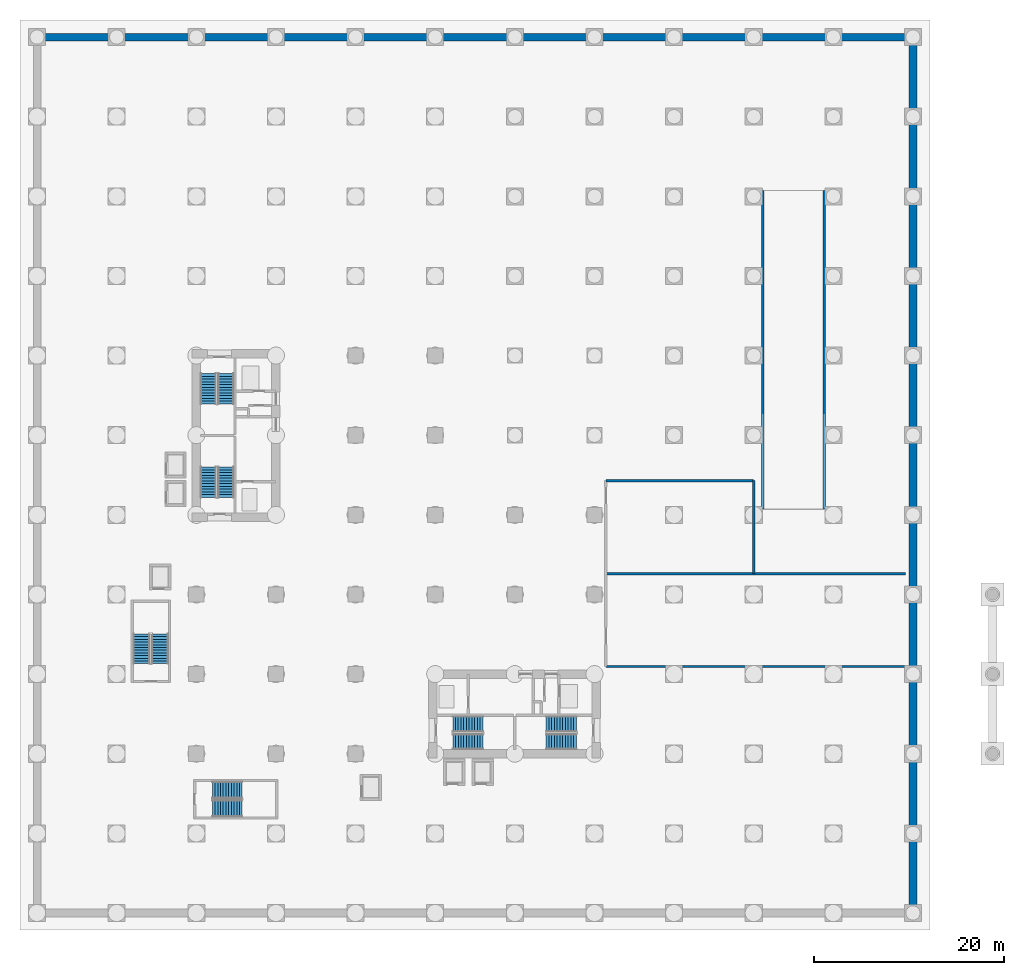
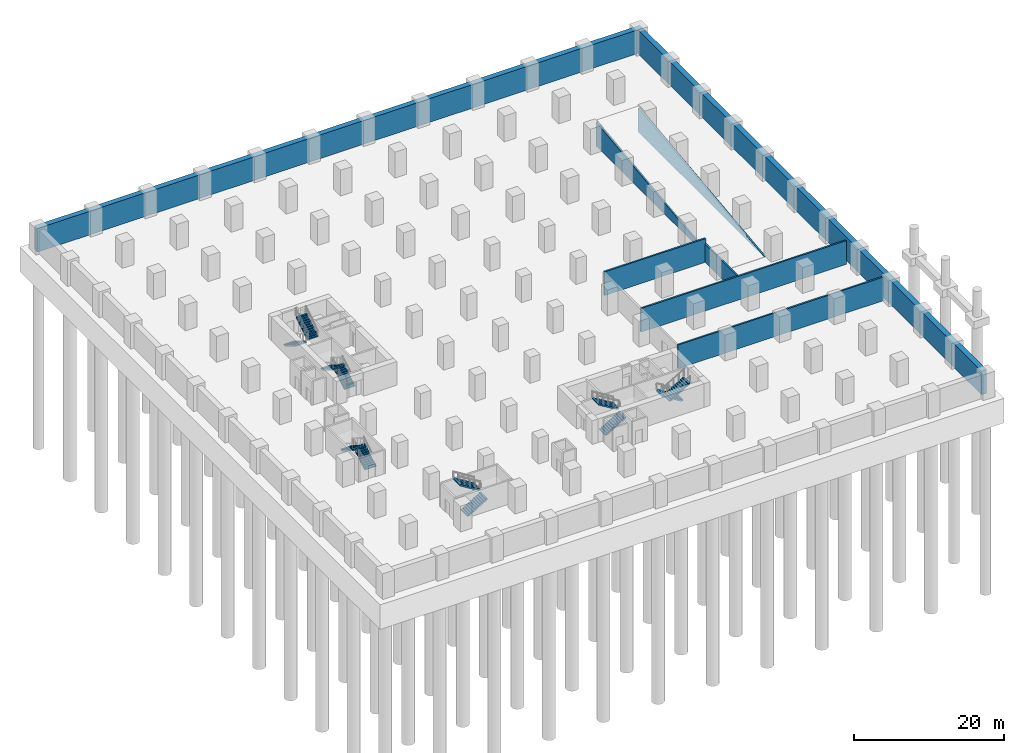
# One storey, part 8 of 12: 12 stair flights, 8 walls, 6 elements without a shape of their own.
"""IFC4 building model written with IfcOpenShell, lengths in metres."""

from ifc_helpers import new_model, si_unit, direction, frame, frame_2d, origin, place, context, subcontext, project, spatial, polyline, rectangle, outline, extrude, material, layer, layer_set, type_object, element, aggregate, save


model = new_model("IFC4")

# Units and contexts
model_context = context("Model", 3, precision=1e-05, world=origin(), true_north=direction((0.0, 1.0)))
body_context = subcontext(model_context, "Body", "Model", "MODEL_VIEW")
ifc_project = project(units=[si_unit("LENGTHUNIT", "METRE"), si_unit("AREAUNIT", "SQUARE_METRE"), si_unit("VOLUMEUNIT", "CUBIC_METRE"), si_unit("PLANEANGLEUNIT", "RADIAN"), si_unit("MASSUNIT", "GRAM", prefix="KILO")], contexts=[model_context])

# Site, building, storey
site_placement = place(None, origin())
site = spatial("IfcSite", under=ifc_project, at=site_placement, CompositionType="ELEMENT")
building_placement = place(site_placement, origin())
building = spatial("IfcBuilding", under=site, at=building_placement, Name="Koriwani Terraces Tower", CompositionType="ELEMENT")
storey_placement = place(building_placement, frame((0.0, 0.0, -8.39990234375)))
storey = spatial("IfcBuildingStorey", under=building, at=storey_placement, Name="B02", CompositionType="ELEMENT", Elevation=-8.39990234375)

# Walls
ifc_material_1 = material(Name="Concrete C50/60", Category="concrete")
ifc_layer_1 = layer(ifc_material_1, 0.800048828125, Name="Concrete C50/60")
ifc_layer_set_1 = layer_set([ifc_layer_1], Name="Concrete C50/60")
wall_type_1 = type_object("IfcWallType", Name="WALL_BASEMENT_RET_800", PredefinedType="USERDEFINED", material=ifc_layer_set_1)
wall_1_placement = place(storey_placement, frame((92.39990234375, 0.39990234375, 0.0), z_axis=(0.0, 0.0, 1.0), x_axis=(0.0, 1.0, 0.0)))
element("IfcWall", 1, at=wall_1_placement, inside=storey, type_object=wall_type_1, Name="B02 Perimeter Retaining Wall (E)", ObjectType="RETAININGWALL", PredefinedType="USERDEFINED", context=body_context, shape_type="SweptSolid", body=[
    extrude(rectangle(XDim=91.60009765625, YDim=0.800048828125, at=frame_2d((45.800048828125, 0.0))), origin(), (0.0, 0.0, 1.0), 3.849853515625),
])
wall_2_placement = place(storey_placement, frame((92.800048828125, 92.39990234375, 0.0), z_axis=(0.0, 0.0, 1.0), x_axis=(-1.0, 0.0, 0.0)))
element("IfcWall", 2, at=wall_2_placement, inside=storey, type_object=wall_type_1, Name="B02 Perimeter Retaining Wall (N)", ObjectType="RETAININGWALL", PredefinedType="USERDEFINED", context=body_context, shape_type="SweptSolid", body=[
    extrude(rectangle(XDim=93.199951171875, YDim=0.800048828125, at=frame_2d((46.60009765625, 0.0))), origin(), (0.0, 0.0, 1.0), 3.849853515625),
])
ifc_material_2 = material(Name="Concrete C40/50", Category="concrete")
ifc_layer_2 = layer(ifc_material_2, 0.25, Name="Concrete C40/50")
ifc_layer_set_2 = layer_set([ifc_layer_2], Name="Concrete C40/50")
wall_type_2 = type_object("IfcWallType", Name="WALL_SHAFT_RATED_250", PredefinedType="SOLIDWALL", material=ifc_layer_set_2)
for number, where, z_axis, x_axis, name in (
    (3, (76.550048828125, 42.60009765625, 0.0), (0.0, 0.0, 1.0), (0.0, 1.0, 0.0), "B02 Vehicle Ramp Bearing Support Wall (W)"),
    (4, (83.050048828125, 42.60009765625, 0.0), (0.0, 0.0, 1.0), (0.0, 1.0, 0.0), "B02 Vehicle Ramp Bearing Support Wall (E)"),
):
    element("IfcWall", number, at=place(storey_placement, frame(where, z_axis=z_axis, x_axis=x_axis)), inside=storey, type_object=wall_type_2, Name=name, PredefinedType="SOLIDWALL", context=body_context, shape_type="SweptSolid", body=[
        extrude(outline(polyline([(0.0, 0.0), (33.599853515625, 0.0), (33.60009765625, 3.89990234375), (0.0, 0.0498046875), (0.0, 0.0)])), frame((0.0, 0.125, 0.0), z_axis=(0.0, -1.0, 0.0), x_axis=(1.0, 0.0, 0.0)), (0.0, 0.0, 1.0), 0.25),
    ])
for number, where, z_axis, x_axis, name in (
    (5, (60.0, 35.800048828125, 0.0), (0.0, 0.0, 1.0), (1.0, 0.0, 0.0), "B02 Interior Wall WBAS-B02-PL2"),
    (6, (60.0, 26.0, 0.0), (0.0, 0.0, 1.0), (1.0, 0.0, 0.0), "B02 Interior Wall WBAS-B02-PL3"),
):
    element("IfcWall", number, at=place(storey_placement, frame(where, z_axis=z_axis, x_axis=x_axis)), inside=storey, type_object=wall_type_2, Name=name, PredefinedType="SOLIDWALL", context=body_context, shape_type="SweptSolid", body=[
        extrude(rectangle(XDim=31.60009765625, YDim=0.25, at=frame_2d((15.800048828125, 0.0))), origin(), (0.0, 0.0, 1.0), 3.849853515625),
    ])
wall_3_placement = place(storey_placement, frame((60.0, 45.60009765625, 0.0), z_axis=(0.0, 0.0, 1.0), x_axis=(1.0, 0.0, 0.0)))
element("IfcWall", 7, at=wall_3_placement, inside=storey, type_object=wall_type_2, Name="B02 Interior Wall WBAS-B02-PL4", PredefinedType="SOLIDWALL", context=body_context, shape_type="SweptSolid", body=[
    extrude(rectangle(XDim=15.60009765625, YDim=0.25, at=frame_2d((7.800048828125, 0.0))), origin(), (0.0, 0.0, 1.0), 3.849853515625),
])
wall_4_placement = place(storey_placement, frame((75.60009765625, 35.800048828125, 0.0), z_axis=(0.0, 0.0, 1.0), x_axis=(0.0, 1.0, 0.0)))
element("IfcWall", 8, at=wall_4_placement, inside=storey, type_object=wall_type_2, Name="B02 Interior Wall WBAS-B02-PL5", PredefinedType="SOLIDWALL", context=body_context, shape_type="SweptSolid", body=[
    extrude(rectangle(XDim=9.800048828125, YDim=0.25, at=frame_2d((4.89990234375, 0.0))), origin(), (0.0, 0.0, 1.0), 3.0),
])

# Stair, stair flights
stair_type_1 = type_object("IfcStairType", Name="STAIR_PODIUM_DOGLEG_1750", PredefinedType="TWO_STRAIGHT_RUN_STAIR", material=ifc_material_2)
stair_1_placement = place(storey_placement, origin())
stair_1 = element("IfcStair", 9, at=stair_1_placement, inside=storey, type_object=stair_type_1, Name="B02 Podium West Exit Stair", PredefinedType="HALF_TURN_STAIR")
stair_flight_type_1 = type_object("IfcStairFlightType", Name="STAIR_FLIGHT_POD_1750", PredefinedType="STRAIGHT", material=ifc_material_2)
stair_flight_1_placement = place(storey_placement, frame((12.97509765625, 26.300048828125, 0.0), z_axis=(0.0, 0.0, 1.0), x_axis=(0.0, 1.0, 0.0)))
stair_flight_1 = element("IfcStairFlight", 10, at=stair_flight_1_placement, type_object=stair_flight_type_1, Name="ST-P1 flight 1", NumberOfRisers=12, NumberOfTreads=11, PredefinedType="STRAIGHT", RiserHeight=0.175, TreadLength=0.285, context=body_context, shape_type="SweptSolid", body=[
    extrude(outline(polyline([(0.0, 0.0), (0.0, 0.175048828125), (0.284912109375, 0.175048828125), (0.284912109375, 0.35009765625), (0.570068359375, 0.35009765625), (0.570068359375, 0.52490234375), (0.85498046875, 0.52490234375), (0.85498046875, 0.699951171875), (1.139892578125, 0.699951171875), (1.139892578125, 0.875), (1.425048828125, 0.875), (1.425048828125, 1.050048828125), (1.7099609375, 1.050048828125), (1.7099609375, 1.22509765625), (1.9951171875, 1.22509765625), (1.9951171875, 1.39990234375), (2.280029296875, 1.39990234375), (2.280029296875, 1.574951171875), (2.56494140625, 1.574951171875), (2.56494140625, 1.75), (2.85009765625, 1.75), (2.85009765625, 1.925048828125), (3.135009765625, 1.925048828125), (3.135009765625, 2.10009765625), (3.135009765625, 1.6904296875), (0.382080078125, 0.0), (0.0, 0.0)])), frame((0.0, 0.875, 0.0), z_axis=(0.0, -1.0, 0.0), x_axis=(1.0, 0.0, 0.0)), (0.0, 0.0, 1.0), 1.75),
])
stair_flight_2_placement = place(storey_placement, frame((11.02490234375, 29.43505859375, 2.099853515625), z_axis=(0.0, 0.0, 1.0), x_axis=(0.0, -1.0, 0.0)))
stair_flight_2 = element("IfcStairFlight", 11, at=stair_flight_2_placement, type_object=stair_flight_type_1, Name="ST-P1 flight 2", NumberOfRisers=12, NumberOfTreads=11, PredefinedType="STRAIGHT", RiserHeight=0.175, TreadLength=0.285, context=body_context, shape_type="SweptSolid", body=[
    extrude(outline(polyline([(0.0, 0.0), (0.0, 0.175048828125), (0.284912109375, 0.175048828125), (0.284912109375, 0.35009765625), (0.570068359375, 0.35009765625), (0.570068359375, 0.52490234375), (0.85498046875, 0.52490234375), (0.85498046875, 0.699951171875), (1.139892578125, 0.699951171875), (1.139892578125, 0.875), (1.425048828125, 0.875), (1.425048828125, 1.050048828125), (1.7099609375, 1.050048828125), (1.7099609375, 1.22509765625), (1.9951171875, 1.22509765625), (1.9951171875, 1.39990234375), (2.280029296875, 1.39990234375), (2.280029296875, 1.574951171875), (2.56494140625, 1.574951171875), (2.56494140625, 1.75), (2.85009765625, 1.75), (2.85009765625, 1.925048828125), (3.135009765625, 1.925048828125), (3.135009765625, 2.10009765625), (3.135009765625, 1.6904296875), (0.382080078125, 0.0), (0.0, 0.0)])), frame((0.0, 0.875, 0.0), z_axis=(0.0, -1.0, 0.0), x_axis=(1.0, 0.0, 0.0)), (0.0, 0.0, 1.0), 1.75),
])
aggregate(stair_1, [stair_flight_1, stair_flight_2])

stair_2_placement = place(storey_placement, origin())
stair_2 = element("IfcStair", 12, at=stair_2_placement, inside=storey, type_object=stair_type_1, Name="B02 Podium South Exit Stair", PredefinedType="HALF_TURN_STAIR")
stair_flight_3_placement = place(storey_placement, frame((18.5, 11.02490234375, 0.0), z_axis=(0.0, 0.0, 1.0), x_axis=(1.0, 0.0, 0.0)))
stair_flight_3 = element("IfcStairFlight", 13, at=stair_flight_3_placement, type_object=stair_flight_type_1, Name="ST-P2 flight 1", NumberOfRisers=12, NumberOfTreads=11, PredefinedType="STRAIGHT", RiserHeight=0.175, TreadLength=0.285, context=body_context, shape_type="SweptSolid", body=[
    extrude(outline(polyline([(0.0, 0.0), (0.0, 0.175048828125), (0.284912109375, 0.175048828125), (0.284912109375, 0.35009765625), (0.570068359375, 0.35009765625), (0.570068359375, 0.52490234375), (0.85498046875, 0.52490234375), (0.85498046875, 0.699951171875), (1.139892578125, 0.699951171875), (1.139892578125, 0.875), (1.425048828125, 0.875), (1.425048828125, 1.050048828125), (1.7099609375, 1.050048828125), (1.7099609375, 1.22509765625), (1.9951171875, 1.22509765625), (1.9951171875, 1.39990234375), (2.280029296875, 1.39990234375), (2.280029296875, 1.574951171875), (2.56494140625, 1.574951171875), (2.56494140625, 1.75), (2.85009765625, 1.75), (2.85009765625, 1.925048828125), (3.135009765625, 1.925048828125), (3.135009765625, 2.10009765625), (3.135009765625, 1.6904296875), (0.382080078125, 0.0), (0.0, 0.0)])), frame((0.0, 0.875, 0.0), z_axis=(0.0, -1.0, 0.0), x_axis=(1.0, 0.0, 0.0)), (0.0, 0.0, 1.0), 1.75),
])
stair_flight_4_placement = place(storey_placement, frame((21.635009765625, 12.97509765625, 2.099853515625), z_axis=(0.0, 0.0, 1.0), x_axis=(-1.0, 0.0, 0.0)))
stair_flight_4 = element("IfcStairFlight", 14, at=stair_flight_4_placement, type_object=stair_flight_type_1, Name="ST-P2 flight 2", NumberOfRisers=12, NumberOfTreads=11, PredefinedType="STRAIGHT", RiserHeight=0.175, TreadLength=0.285, context=body_context, shape_type="SweptSolid", body=[
    extrude(outline(polyline([(0.0, 0.0), (0.0, 0.175048828125), (0.284912109375, 0.175048828125), (0.284912109375, 0.35009765625), (0.570068359375, 0.35009765625), (0.570068359375, 0.52490234375), (0.85498046875, 0.52490234375), (0.85498046875, 0.699951171875), (1.139892578125, 0.699951171875), (1.139892578125, 0.875), (1.425048828125, 0.875), (1.425048828125, 1.050048828125), (1.7099609375, 1.050048828125), (1.7099609375, 1.22509765625), (1.9951171875, 1.22509765625), (1.9951171875, 1.39990234375), (2.280029296875, 1.39990234375), (2.280029296875, 1.574951171875), (2.56494140625, 1.574951171875), (2.56494140625, 1.75), (2.85009765625, 1.75), (2.85009765625, 1.925048828125), (3.135009765625, 1.925048828125), (3.135009765625, 2.10009765625), (3.135009765625, 1.6904296875), (0.382080078125, 0.0), (0.0, 0.0)])), frame((0.0, 0.875, 0.0), z_axis=(0.0, -1.0, 0.0), x_axis=(1.0, 0.0, 0.0)), (0.0, 0.0, 1.0), 1.75),
])
aggregate(stair_2, [stair_flight_3, stair_flight_4])

stair_type_2 = type_object("IfcStairType", Name="STAIR_CORE_DOGLEG_1650", PredefinedType="TWO_STRAIGHT_RUN_STAIR", material=ifc_material_2)
stair_3_placement = place(storey_placement, origin())
stair_3 = element("IfcStair", 15, at=stair_3_placement, inside=storey, type_object=stair_type_2, Name="B02 West Core Exit Stair 1", PredefinedType="HALF_TURN_STAIR")
stair_flight_type_2 = type_object("IfcStairFlightType", Name="STAIR_FLIGHT_RC_1650", PredefinedType="STRAIGHT", material=ifc_material_2)
stair_flight_5_placement = place(storey_placement, frame((19.925048828125, 43.85009765625, 0.0), z_axis=(0.0, 0.0, 1.0), x_axis=(0.0, 1.0, 0.0)))
stair_flight_5 = element("IfcStairFlight", 16, at=stair_flight_5_placement, type_object=stair_flight_type_2, Name="ST-W1 flight 1", NumberOfRisers=12, NumberOfTreads=11, PredefinedType="STRAIGHT", RiserHeight=0.175, TreadLength=0.29, context=body_context, shape_type="SweptSolid", body=[
    extrude(outline(polyline([(0.0, 0.0), (0.0, 0.175048828125), (0.2900390625, 0.175048828125), (0.2900390625, 0.35009765625), (0.580078125, 0.35009765625), (0.580078125, 0.52490234375), (0.8701171875, 0.52490234375), (0.8701171875, 0.699951171875), (1.159912109375, 0.699951171875), (1.159912109375, 0.875), (1.449951171875, 0.875), (1.449951171875, 1.050048828125), (1.739990234375, 1.050048828125), (1.739990234375, 1.22509765625), (2.030029296875, 1.22509765625), (2.030029296875, 1.39990234375), (2.320068359375, 1.39990234375), (2.320068359375, 1.574951171875), (2.610107421875, 1.574951171875), (2.610107421875, 1.75), (2.89990234375, 1.75), (2.89990234375, 1.925048828125), (3.18994140625, 1.925048828125), (3.18994140625, 2.10009765625), (3.18994140625, 1.71484375), (0.34814453125, 0.0), (0.0, 0.0)])), frame((0.0, 0.824951171875, 0.0), z_axis=(0.0, -1.0, 0.0), x_axis=(1.0, 0.0, 0.0)), (0.0, 0.0, 1.0), 1.64990234375),
])
stair_flight_6_placement = place(storey_placement, frame((18.074951171875, 47.0400390625, 2.099853515625), z_axis=(0.0, 0.0, 1.0), x_axis=(0.0, -1.0, 0.0)))
stair_flight_6 = element("IfcStairFlight", 17, at=stair_flight_6_placement, type_object=stair_flight_type_2, Name="ST-W1 flight 2", NumberOfRisers=12, NumberOfTreads=11, PredefinedType="STRAIGHT", RiserHeight=0.175, TreadLength=0.29, context=body_context, shape_type="SweptSolid", body=[
    extrude(outline(polyline([(0.0, 0.0), (0.0, 0.175048828125), (0.2900390625, 0.175048828125), (0.2900390625, 0.35009765625), (0.580078125, 0.35009765625), (0.580078125, 0.52490234375), (0.8701171875, 0.52490234375), (0.8701171875, 0.699951171875), (1.159912109375, 0.699951171875), (1.159912109375, 0.875), (1.449951171875, 0.875), (1.449951171875, 1.050048828125), (1.739990234375, 1.050048828125), (1.739990234375, 1.22509765625), (2.030029296875, 1.22509765625), (2.030029296875, 1.39990234375), (2.320068359375, 1.39990234375), (2.320068359375, 1.574951171875), (2.610107421875, 1.574951171875), (2.610107421875, 1.75), (2.89990234375, 1.75), (2.89990234375, 1.925048828125), (3.18994140625, 1.925048828125), (3.18994140625, 2.10009765625), (3.18994140625, 1.71484375), (0.34814453125, 0.0), (0.0, 0.0)])), frame((0.0, 0.824951171875, 0.0), z_axis=(0.0, -1.0, 0.0), x_axis=(1.0, 0.0, 0.0)), (0.0, 0.0, 1.0), 1.64990234375),
])
aggregate(stair_3, [stair_flight_5, stair_flight_6])

stair_4_placement = place(storey_placement, origin())
stair_4 = element("IfcStair", 18, at=stair_4_placement, inside=storey, type_object=stair_type_2, Name="B02 West Core Exit Stair 2", PredefinedType="HALF_TURN_STAIR")
stair_flight_7_placement = place(storey_placement, frame((18.074951171875, 56.89990234375, 0.0), z_axis=(0.0, 0.0, 1.0), x_axis=(0.0, -1.0, 0.0)))
stair_flight_7 = element("IfcStairFlight", 19, at=stair_flight_7_placement, type_object=stair_flight_type_2, Name="ST-W2 flight 1", NumberOfRisers=12, NumberOfTreads=11, PredefinedType="STRAIGHT", RiserHeight=0.175, TreadLength=0.29, context=body_context, shape_type="SweptSolid", body=[
    extrude(outline(polyline([(0.0, 0.0), (0.0, 0.175048828125), (0.2900390625, 0.175048828125), (0.2900390625, 0.35009765625), (0.580078125, 0.35009765625), (0.580078125, 0.52490234375), (0.8701171875, 0.52490234375), (0.8701171875, 0.699951171875), (1.159912109375, 0.699951171875), (1.159912109375, 0.875), (1.449951171875, 0.875), (1.449951171875, 1.050048828125), (1.739990234375, 1.050048828125), (1.739990234375, 1.22509765625), (2.030029296875, 1.22509765625), (2.030029296875, 1.39990234375), (2.320068359375, 1.39990234375), (2.320068359375, 1.574951171875), (2.610107421875, 1.574951171875), (2.610107421875, 1.75), (2.89990234375, 1.75), (2.89990234375, 1.925048828125), (3.18994140625, 1.925048828125), (3.18994140625, 2.10009765625), (3.18994140625, 1.71484375), (0.34814453125, 0.0), (0.0, 0.0)])), frame((0.0, 0.824951171875, 0.0), z_axis=(0.0, -1.0, 0.0), x_axis=(1.0, 0.0, 0.0)), (0.0, 0.0, 1.0), 1.64990234375),
])
stair_flight_8_placement = place(storey_placement, frame((19.925048828125, 53.7099609375, 2.099853515625), z_axis=(0.0, 0.0, 1.0), x_axis=(0.0, 1.0, 0.0)))
stair_flight_8 = element("IfcStairFlight", 20, at=stair_flight_8_placement, type_object=stair_flight_type_2, Name="ST-W2 flight 2", NumberOfRisers=12, NumberOfTreads=11, PredefinedType="STRAIGHT", RiserHeight=0.175, TreadLength=0.29, context=body_context, shape_type="SweptSolid", body=[
    extrude(outline(polyline([(0.0, 0.0), (0.0, 0.175048828125), (0.2900390625, 0.175048828125), (0.2900390625, 0.35009765625), (0.580078125, 0.35009765625), (0.580078125, 0.52490234375), (0.8701171875, 0.52490234375), (0.8701171875, 0.699951171875), (1.159912109375, 0.699951171875), (1.159912109375, 0.875), (1.449951171875, 0.875), (1.449951171875, 1.050048828125), (1.739990234375, 1.050048828125), (1.739990234375, 1.22509765625), (2.030029296875, 1.22509765625), (2.030029296875, 1.39990234375), (2.320068359375, 1.39990234375), (2.320068359375, 1.574951171875), (2.610107421875, 1.574951171875), (2.610107421875, 1.75), (2.89990234375, 1.75), (2.89990234375, 1.925048828125), (3.18994140625, 1.925048828125), (3.18994140625, 2.10009765625), (3.18994140625, 1.71484375), (0.34814453125, 0.0), (0.0, 0.0)])), frame((0.0, 0.824951171875, 0.0), z_axis=(0.0, -1.0, 0.0), x_axis=(1.0, 0.0, 0.0)), (0.0, 0.0, 1.0), 1.64990234375),
])
aggregate(stair_4, [stair_flight_7, stair_flight_8])

stair_5_placement = place(storey_placement, origin())
stair_5 = element("IfcStair", 21, at=stair_5_placement, inside=storey, type_object=stair_type_2, Name="B02 East Core Exit Stair 1", PredefinedType="HALF_TURN_STAIR")
stair_flight_9_placement = place(storey_placement, frame((43.85009765625, 18.074951171875, 0.0), z_axis=(0.0, 0.0, 1.0), x_axis=(1.0, 0.0, 0.0)))
stair_flight_9 = element("IfcStairFlight", 22, at=stair_flight_9_placement, type_object=stair_flight_type_2, Name="ST-E1 flight 1", NumberOfRisers=12, NumberOfTreads=11, PredefinedType="STRAIGHT", RiserHeight=0.175, TreadLength=0.29, context=body_context, shape_type="SweptSolid", body=[
    extrude(outline(polyline([(0.0, 0.0), (0.0, 0.175048828125), (0.2900390625, 0.175048828125), (0.2900390625, 0.35009765625), (0.580078125, 0.35009765625), (0.580078125, 0.52490234375), (0.8701171875, 0.52490234375), (0.8701171875, 0.699951171875), (1.159912109375, 0.699951171875), (1.159912109375, 0.875), (1.449951171875, 0.875), (1.449951171875, 1.050048828125), (1.739990234375, 1.050048828125), (1.739990234375, 1.22509765625), (2.030029296875, 1.22509765625), (2.030029296875, 1.39990234375), (2.320068359375, 1.39990234375), (2.320068359375, 1.574951171875), (2.610107421875, 1.574951171875), (2.610107421875, 1.75), (2.89990234375, 1.75), (2.89990234375, 1.925048828125), (3.18994140625, 1.925048828125), (3.18994140625, 2.10009765625), (3.18994140625, 1.71484375), (0.34814453125, 0.0), (0.0, 0.0)])), frame((0.0, 0.824951171875, 0.0), z_axis=(0.0, -1.0, 0.0), x_axis=(1.0, 0.0, 0.0)), (0.0, 0.0, 1.0), 1.64990234375),
])
stair_flight_10_placement = place(storey_placement, frame((47.0400390625, 19.925048828125, 2.099853515625), z_axis=(0.0, 0.0, 1.0), x_axis=(-1.0, 0.0, 0.0)))
stair_flight_10 = element("IfcStairFlight", 23, at=stair_flight_10_placement, type_object=stair_flight_type_2, Name="ST-E1 flight 2", NumberOfRisers=12, NumberOfTreads=11, PredefinedType="STRAIGHT", RiserHeight=0.175, TreadLength=0.29, context=body_context, shape_type="SweptSolid", body=[
    extrude(outline(polyline([(0.0, 0.0), (0.0, 0.175048828125), (0.2900390625, 0.175048828125), (0.2900390625, 0.35009765625), (0.580078125, 0.35009765625), (0.580078125, 0.52490234375), (0.8701171875, 0.52490234375), (0.8701171875, 0.699951171875), (1.159912109375, 0.699951171875), (1.159912109375, 0.875), (1.449951171875, 0.875), (1.449951171875, 1.050048828125), (1.739990234375, 1.050048828125), (1.739990234375, 1.22509765625), (2.030029296875, 1.22509765625), (2.030029296875, 1.39990234375), (2.320068359375, 1.39990234375), (2.320068359375, 1.574951171875), (2.610107421875, 1.574951171875), (2.610107421875, 1.75), (2.89990234375, 1.75), (2.89990234375, 1.925048828125), (3.18994140625, 1.925048828125), (3.18994140625, 2.10009765625), (3.18994140625, 1.71484375), (0.34814453125, 0.0), (0.0, 0.0)])), frame((0.0, 0.824951171875, 0.0), z_axis=(0.0, -1.0, 0.0), x_axis=(1.0, 0.0, 0.0)), (0.0, 0.0, 1.0), 1.64990234375),
])
aggregate(stair_5, [stair_flight_9, stair_flight_10])

stair_6_placement = place(storey_placement, origin())
stair_6 = element("IfcStair", 24, at=stair_6_placement, inside=storey, type_object=stair_type_2, Name="B02 East Core Exit Stair 2", PredefinedType="HALF_TURN_STAIR")
stair_flight_11_placement = place(storey_placement, frame((56.89990234375, 19.925048828125, 0.0), z_axis=(0.0, 0.0, 1.0), x_axis=(-1.0, 0.0, 0.0)))
stair_flight_11 = element("IfcStairFlight", 25, at=stair_flight_11_placement, type_object=stair_flight_type_2, Name="ST-E2 flight 1", NumberOfRisers=12, NumberOfTreads=11, PredefinedType="STRAIGHT", RiserHeight=0.175, TreadLength=0.29, context=body_context, shape_type="SweptSolid", body=[
    extrude(outline(polyline([(0.0, 0.0), (0.0, 0.175048828125), (0.2900390625, 0.175048828125), (0.2900390625, 0.35009765625), (0.580078125, 0.35009765625), (0.580078125, 0.52490234375), (0.8701171875, 0.52490234375), (0.8701171875, 0.699951171875), (1.159912109375, 0.699951171875), (1.159912109375, 0.875), (1.449951171875, 0.875), (1.449951171875, 1.050048828125), (1.739990234375, 1.050048828125), (1.739990234375, 1.22509765625), (2.030029296875, 1.22509765625), (2.030029296875, 1.39990234375), (2.320068359375, 1.39990234375), (2.320068359375, 1.574951171875), (2.610107421875, 1.574951171875), (2.610107421875, 1.75), (2.89990234375, 1.75), (2.89990234375, 1.925048828125), (3.18994140625, 1.925048828125), (3.18994140625, 2.10009765625), (3.18994140625, 1.71484375), (0.34814453125, 0.0), (0.0, 0.0)])), frame((0.0, 0.824951171875, 0.0), z_axis=(0.0, -1.0, 0.0), x_axis=(1.0, 0.0, 0.0)), (0.0, 0.0, 1.0), 1.64990234375),
])
stair_flight_12_placement = place(storey_placement, frame((53.7099609375, 18.074951171875, 2.099853515625), z_axis=(0.0, 0.0, 1.0), x_axis=(1.0, 0.0, 0.0)))
stair_flight_12 = element("IfcStairFlight", 26, at=stair_flight_12_placement, type_object=stair_flight_type_2, Name="ST-E2 flight 2", NumberOfRisers=12, NumberOfTreads=11, PredefinedType="STRAIGHT", RiserHeight=0.175, TreadLength=0.29, context=body_context, shape_type="SweptSolid", body=[
    extrude(outline(polyline([(0.0, 0.0), (0.0, 0.175048828125), (0.2900390625, 0.175048828125), (0.2900390625, 0.35009765625), (0.580078125, 0.35009765625), (0.580078125, 0.52490234375), (0.8701171875, 0.52490234375), (0.8701171875, 0.699951171875), (1.159912109375, 0.699951171875), (1.159912109375, 0.875), (1.449951171875, 0.875), (1.449951171875, 1.050048828125), (1.739990234375, 1.050048828125), (1.739990234375, 1.22509765625), (2.030029296875, 1.22509765625), (2.030029296875, 1.39990234375), (2.320068359375, 1.39990234375), (2.320068359375, 1.574951171875), (2.610107421875, 1.574951171875), (2.610107421875, 1.75), (2.89990234375, 1.75), (2.89990234375, 1.925048828125), (3.18994140625, 1.925048828125), (3.18994140625, 2.10009765625), (3.18994140625, 1.71484375), (0.34814453125, 0.0), (0.0, 0.0)])), frame((0.0, 0.824951171875, 0.0), z_axis=(0.0, -1.0, 0.0), x_axis=(1.0, 0.0, 0.0)), (0.0, 0.0, 1.0), 1.64990234375),
])
aggregate(stair_6, [stair_flight_11, stair_flight_12])

save(model, "model.ifc")
